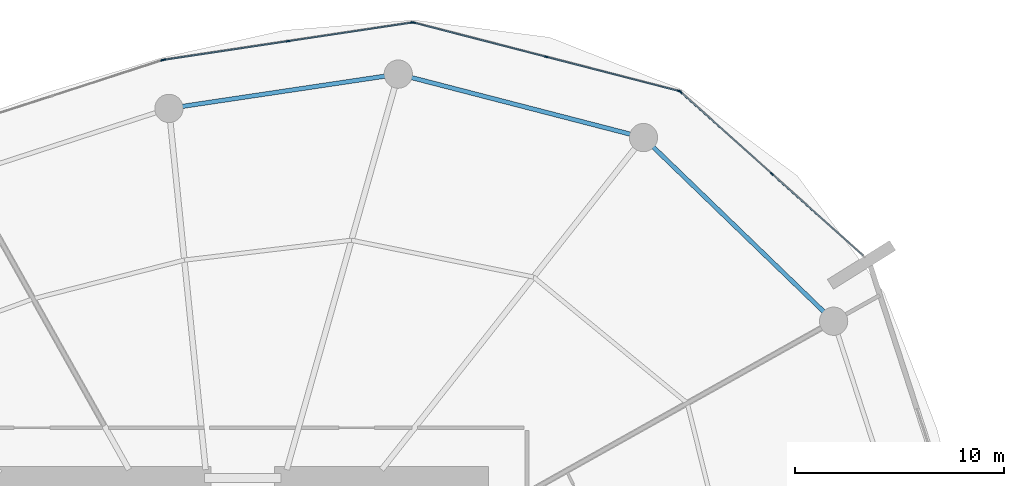
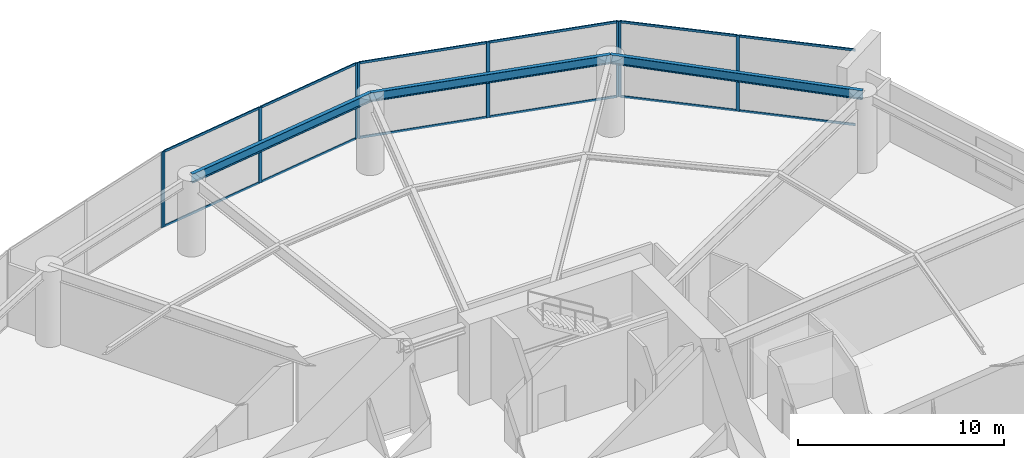
# One storey, part 15 of 22: 21 members, 3 beams, 4 elements without a shape of their own.
"""IFC4 building model written with IfcOpenShell, lengths in metres."""

from ifc_helpers import new_model, si_unit, direction, frame, origin, origin_2d, place, context, subcontext, project, spatial, rectangle, i_section, extrude, material, layer, layer_set, material_profile, profile_set, type_object, element, aggregate, save


model = new_model("IFC4")

# Units and contexts
model_context = context("Model", 3, precision=1e-05, world=origin(), true_north=direction((0.0, 1.0)))
body_context = subcontext(model_context, "Body", "Model", "MODEL_VIEW")
ifc_project = project(units=[si_unit("LENGTHUNIT", "METRE"), si_unit("AREAUNIT", "SQUARE_METRE"), si_unit("VOLUMEUNIT", "CUBIC_METRE"), si_unit("PLANEANGLEUNIT", "RADIAN"), si_unit("MASSUNIT", "GRAM", prefix="KILO")], contexts=[model_context])

# Site, building, storey
site_placement = place(None, origin())
site = spatial("IfcSite", under=ifc_project, at=site_placement, CompositionType="ELEMENT")
building_placement = place(site_placement, origin())
building = spatial("IfcBuilding", under=site, at=building_placement, Name="Kazma Halo Residences", CompositionType="ELEMENT")
storey_placement = place(building_placement, frame((0.0, 0.0, 12.0)))
storey = spatial("IfcBuildingStorey", under=building, at=storey_placement, Name="L02", CompositionType="ELEMENT", Elevation=12.0)

# Beams
ifc_material_1 = material(Name="Steel S355", Category="steel")
ifc_material_profile_1 = material_profile(ifc_material_1, i_section(OverallWidth=0.208984375, OverallDepth=0.532958984375, WebThickness=0.01025390625, FlangeThickness=0.015625, FilletRadius=0.01611328125, at=origin_2d()), Name="W530x92")
ifc_profile_set_1 = profile_set([ifc_material_profile_1], Name="Steel S355")
beam_type = type_object("IfcBeamType", Name="BM-SPN-W530", PredefinedType="BEAM", material=ifc_profile_set_1)
beam_1_placement = place(storey_placement, frame((76.6328125, 58.03515625, 4.21337890625), z_axis=(-0.719339467226, 0.694658715407, 0.0), x_axis=(-0.694658715407, -0.719339467226, 0.0)))
element("IfcBeam", 1, at=beam_1_placement, inside=storey, type_object=beam_type, Name="L02 perimeter ring beam 01", PredefinedType="BEAM", context=body_context, shape_type="SweptSolid", body=[
    extrude(i_section(OverallWidth=0.208984375, OverallDepth=0.532958984375, WebThickness=0.01025390625, FlangeThickness=0.015625, FilletRadius=0.01611328125, at=origin_2d()), origin(), (0.0, 0.0, 1.0), 12.6220703125),
])
beam_2_placement = place(storey_placement, frame((67.55322265625, 66.80322265625, 4.21337890625), z_axis=(-0.968123781445, 0.250472241578, 0.0), x_axis=(-0.250472241578, -0.968123781445, 0.0)))
element("IfcBeam", 2, at=beam_2_placement, inside=storey, type_object=beam_type, Name="L02 perimeter ring beam 02", PredefinedType="BEAM", context=body_context, shape_type="SweptSolid", body=[
    extrude(i_section(OverallWidth=0.208984375, OverallDepth=0.532958984375, WebThickness=0.01025390625, FlangeThickness=0.015625, FilletRadius=0.01611328125, at=origin_2d()), origin(), (0.0, 0.0, 1.0), 12.08935546875),
])
beam_3_placement = place(storey_placement, frame((55.84912109375, 69.831298828125, 4.21337890625), z_axis=(-0.989031581018, -0.14770420356, 0.0), x_axis=(0.14770420356, -0.989031581018, 0.0)))
element("IfcBeam", 3, at=beam_3_placement, inside=storey, type_object=beam_type, Name="L02 perimeter ring beam 03", PredefinedType="BEAM", context=body_context, shape_type="SweptSolid", body=[
    extrude(i_section(OverallWidth=0.208984375, OverallDepth=0.532958984375, WebThickness=0.01025390625, FlangeThickness=0.015625, FilletRadius=0.01611328125, at=origin_2d()), origin(), (0.0, 0.0, 1.0), 11.071044921875),
])

# Curtain wall, members
ifc_material_2 = material(Name="Aluminium AW-6063 T6 and Triple-Silver Low-E Glass", Category="aluminium")
ifc_layer = layer(ifc_material_2, 0.179931640625)
ifc_layer_set = layer_set([ifc_layer], Name="Aluminium AW-6063 T6 and Triple-Silver Low-E Glass")
curtain_wall_type = type_object("IfcCurtainWallType", Name="CW-SYS-1", PredefinedType="NOTDEFINED", material=ifc_layer_set)
curtain_wall_1_placement = place(storey_placement, origin())
curtain_wall_1 = element("IfcCurtainWall", 4, at=curtain_wall_1_placement, inside=storey, type_object=curtain_wall_type, Name="L02 unitised curtain wall B01", PredefinedType="NOTDEFINED")
ifc_material_3 = material(Name="Aluminium AW-6063 T6", Category="aluminium")
ifc_material_profile_2 = material_profile(ifc_material_3, rectangle(XDim=0.06494140625, YDim=0.179931640625, at=origin_2d()), Name="CWM-65x180")
ifc_profile_set_2 = profile_set([ifc_material_profile_2], Name="Aluminium AW-6063 T6")
member_type_1 = type_object("IfcMemberType", Name="CW-SYS-1-MUL", PredefinedType="MULLION", material=ifc_profile_set_2)
member_1_placement = place(storey_placement, frame((73.689208984375, 65.070556640625, 0.0), z_axis=(0.0, 0.0, 1.0), x_axis=(-0.667847908139, -0.744297770784, 0.0)))
member_1 = element("IfcMember", 5, at=member_1_placement, type_object=member_type_1, Name="CWS-1 mullion 2", PredefinedType="MULLION", context=body_context, shape_type="SweptSolid", body=[
    extrude(rectangle(XDim=0.06494140625, YDim=0.179931640625, at=origin_2d()), origin(), (0.0, 0.0, 1.0), 4.47998046875),
])
member_2_placement = place(storey_placement, frame((69.319580078125, 68.9912109375, 0.0), z_axis=(0.0, 0.0, 1.0), x_axis=(-0.667847908139, -0.744297770784, 0.0)))
member_2 = element("IfcMember", 6, at=member_2_placement, type_object=member_type_1, Name="CWS-1 mullion 3", PredefinedType="MULLION", context=body_context, shape_type="SweptSolid", body=[
    extrude(rectangle(XDim=0.06494140625, YDim=0.179931640625, at=origin_2d()), origin(), (0.0, 0.0, 1.0), 4.47998046875),
])

curtain_wall_2_placement = place(storey_placement, origin())
curtain_wall_2 = element("IfcCurtainWall", 7, at=curtain_wall_2_placement, inside=storey, type_object=curtain_wall_type, Name="L02 unitised curtain wall B02", PredefinedType="NOTDEFINED")
member_3_placement = place(storey_placement, frame((69.263916015625, 69.02099609375, 0.0), z_axis=(0.0, 0.0, 1.0), x_axis=(-0.249727103953, -0.96831625699, 0.0)))
member_3 = element("IfcMember", 8, at=member_3_placement, type_object=member_type_1, Name="CWS-1 mullion 1", PredefinedType="MULLION", context=body_context, shape_type="SweptSolid", body=[
    extrude(rectangle(XDim=0.06494140625, YDim=0.179931640625, at=origin_2d()), origin(), (0.0, 0.0, 1.0), 4.47998046875),
])
member_4_placement = place(storey_placement, frame((62.920654296875, 70.656982421875, 0.0), z_axis=(0.0, 0.0, 1.0), x_axis=(-0.249727103953, -0.96831625699, 0.0)))
member_4 = element("IfcMember", 9, at=member_4_placement, type_object=member_type_1, Name="CWS-1 mullion 2", PredefinedType="MULLION", context=body_context, shape_type="SweptSolid", body=[
    extrude(rectangle(XDim=0.06494140625, YDim=0.179931640625, at=origin_2d()), origin(), (0.0, 0.0, 1.0), 4.47998046875),
])
member_5_placement = place(storey_placement, frame((56.5771484375, 72.29296875, 0.0), z_axis=(0.0, 0.0, 1.0), x_axis=(-0.249727103953, -0.96831625699, 0.0)))
member_5 = element("IfcMember", 10, at=member_5_placement, type_object=member_type_1, Name="CWS-1 mullion 3", PredefinedType="MULLION", context=body_context, shape_type="SweptSolid", body=[
    extrude(rectangle(XDim=0.06494140625, YDim=0.179931640625, at=origin_2d()), origin(), (0.0, 0.0, 1.0), 4.47998046875),
])

curtain_wall_3_placement = place(storey_placement, origin())
curtain_wall_3 = element("IfcCurtainWall", 11, at=curtain_wall_3_placement, inside=storey, type_object=curtain_wall_type, Name="L02 unitised curtain wall B03", PredefinedType="NOTDEFINED")
member_6_placement = place(storey_placement, frame((56.513671875, 72.29638671875, 0.0), z_axis=(0.0, 0.0, 1.0), x_axis=(0.148548966342, -0.988905053379, 0.0)))
member_6 = element("IfcMember", 12, at=member_6_placement, type_object=member_type_1, Name="CWS-1 mullion 1", PredefinedType="MULLION", context=body_context, shape_type="SweptSolid", body=[
    extrude(rectangle(XDim=0.06494140625, YDim=0.179931640625, at=origin_2d()), origin(), (0.0, 0.0, 1.0), 4.47998046875),
])
member_7_placement = place(storey_placement, frame((50.585693359375, 71.40576171875, 0.0), z_axis=(0.0, 0.0, 1.0), x_axis=(0.148548966342, -0.988905053379, 0.0)))
member_7 = element("IfcMember", 13, at=member_7_placement, type_object=member_type_1, Name="CWS-1 mullion 2", PredefinedType="MULLION", context=body_context, shape_type="SweptSolid", body=[
    extrude(rectangle(XDim=0.06494140625, YDim=0.179931640625, at=origin_2d()), origin(), (0.0, 0.0, 1.0), 4.47998046875),
])
member_8_placement = place(storey_placement, frame((44.65771484375, 70.515380859375, 0.0), z_axis=(0.0, 0.0, 1.0), x_axis=(0.148548966342, -0.988905053379, 0.0)))
member_8 = element("IfcMember", 14, at=member_8_placement, type_object=member_type_1, Name="CWS-1 mullion 3", PredefinedType="MULLION", context=body_context, shape_type="SweptSolid", body=[
    extrude(rectangle(XDim=0.06494140625, YDim=0.179931640625, at=origin_2d()), origin(), (0.0, 0.0, 1.0), 4.47998046875),
])

# Curtain wall, member
curtain_wall_4_placement = place(storey_placement, origin())
curtain_wall_4 = element("IfcCurtainWall", 15, at=curtain_wall_4_placement, inside=storey, type_object=curtain_wall_type, Name="L02 unitised curtain wall B04", PredefinedType="NOTDEFINED")
member_9_placement = place(storey_placement, frame((44.5947265625, 70.50048828125, 0.0), z_axis=(0.0, 0.0, 1.0), x_axis=(0.309017239211, -0.951056436743, 0.0)))
member_9 = element("IfcMember", 16, at=member_9_placement, type_object=member_type_1, Name="CWS-1 mullion 1", PredefinedType="MULLION", context=body_context, shape_type="SweptSolid", body=[
    extrude(rectangle(XDim=0.06494140625, YDim=0.179931640625, at=origin_2d()), origin(), (0.0, 0.0, 1.0), 4.47998046875),
])
aggregate(curtain_wall_4, [member_9])

# Member
ifc_material_profile_3 = material_profile(ifc_material_3, rectangle(XDim=0.06494140625, YDim=0.135009765625, at=origin_2d()), Name="CWT-65x135")
ifc_profile_set_3 = profile_set([ifc_material_profile_3], Name="Aluminium AW-6063 T6")
member_type_2 = type_object("IfcMemberType", Name="CW-SYS-1-TRN", PredefinedType="USERDEFINED", material=ifc_profile_set_3)
member_10_placement = place(storey_placement, frame((78.034423828125, 61.171630859375, 0.032470703125), z_axis=(-0.744299097196, 0.667846429887, 0.0), x_axis=(-0.667846429887, -0.744299097196, 0.0)))
member_10 = element("IfcMember", 17, at=member_10_placement, type_object=member_type_2, Name="CWS-1 transom 1.1", ObjectType="TRANSOM", PredefinedType="USERDEFINED", context=body_context, shape_type="SweptSolid", body=[
    extrude(rectangle(XDim=0.06494140625, YDim=0.135009765625, at=origin_2d()), origin(), (0.0, 0.0, 1.0), 5.805419921875),
])

member_11_placement = place(storey_placement, frame((78.034423828125, 61.171630859375, 4.447509765625), z_axis=(-0.744299097196, 0.667846429887, 0.0), x_axis=(-0.667846429887, -0.744299097196, 0.0)))
member_11 = element("IfcMember", 18, at=member_11_placement, type_object=member_type_2, Name="CWS-1 transom 1.2", ObjectType="TRANSOM", PredefinedType="USERDEFINED", context=body_context, shape_type="SweptSolid", body=[
    extrude(rectangle(XDim=0.06494140625, YDim=0.135009765625, at=origin_2d()), origin(), (0.0, 0.0, 1.0), 5.805419921875),
])

member_12_placement = place(storey_placement, frame((73.6650390625, 65.09228515625, 0.032470703125), z_axis=(-0.744317852823, 0.667825526592, 0.0), x_axis=(-0.667825526592, -0.744317852823, 0.0)))
member_12 = element("IfcMember", 19, at=member_12_placement, type_object=member_type_2, Name="CWS-1 transom 2.1", ObjectType="TRANSOM", PredefinedType="USERDEFINED", context=body_context, shape_type="SweptSolid", body=[
    extrude(rectangle(XDim=0.06494140625, YDim=0.135009765625, at=origin_2d()), origin(), (0.0, 0.0, 1.0), 5.8056640625),
])

member_13_placement = place(storey_placement, frame((73.6650390625, 65.09228515625, 4.447509765625), z_axis=(-0.744317852823, 0.667825526592, 0.0), x_axis=(-0.667825526592, -0.744317852823, 0.0)))
member_13 = element("IfcMember", 20, at=member_13_placement, type_object=member_type_2, Name="CWS-1 transom 2.2", ObjectType="TRANSOM", PredefinedType="USERDEFINED", context=body_context, shape_type="SweptSolid", body=[
    extrude(rectangle(XDim=0.06494140625, YDim=0.135009765625, at=origin_2d()), origin(), (0.0, 0.0, 1.0), 5.8056640625),
])

aggregate(curtain_wall_1, [member_1, member_2, member_10, member_11, member_12, member_13])

member_14_placement = place(storey_placement, frame((69.232421875, 69.029296875, 0.032470703125), z_axis=(-0.968317854782, 0.249720908437, 0.0), x_axis=(-0.249720908437, -0.968317854782, 0.0)))
member_14 = element("IfcMember", 21, at=member_14_placement, type_object=member_type_2, Name="CWS-1 transom 1.1", ObjectType="TRANSOM", PredefinedType="USERDEFINED", context=body_context, shape_type="SweptSolid", body=[
    extrude(rectangle(XDim=0.06494140625, YDim=0.135009765625, at=origin_2d()), origin(), (0.0, 0.0, 1.0), 6.48583984375),
])

member_15_placement = place(storey_placement, frame((69.232421875, 69.029296875, 4.447509765625), z_axis=(-0.968317854782, 0.249720908437, 0.0), x_axis=(-0.249720908437, -0.968317854782, 0.0)))
member_15 = element("IfcMember", 22, at=member_15_placement, type_object=member_type_2, Name="CWS-1 transom 1.2", ObjectType="TRANSOM", PredefinedType="USERDEFINED", context=body_context, shape_type="SweptSolid", body=[
    extrude(rectangle(XDim=0.06494140625, YDim=0.135009765625, at=origin_2d()), origin(), (0.0, 0.0, 1.0), 6.48583984375),
])

member_16_placement = place(storey_placement, frame((62.88916015625, 70.665283203125, 0.032470703125), z_axis=(-0.968320202065, 0.249711806433, 0.0), x_axis=(-0.249711806433, -0.968320202065, 0.0)))
member_16 = element("IfcMember", 23, at=member_16_placement, type_object=member_type_2, Name="CWS-1 transom 2.1", ObjectType="TRANSOM", PredefinedType="USERDEFINED", context=body_context, shape_type="SweptSolid", body=[
    extrude(rectangle(XDim=0.06494140625, YDim=0.135009765625, at=origin_2d()), origin(), (0.0, 0.0, 1.0), 6.486083984375),
])

member_17_placement = place(storey_placement, frame((62.88916015625, 70.665283203125, 4.447509765625), z_axis=(-0.968320202065, 0.249711806433, 0.0), x_axis=(-0.249711806433, -0.968320202065, 0.0)))
member_17 = element("IfcMember", 24, at=member_17_placement, type_object=member_type_2, Name="CWS-1 transom 2.2", ObjectType="TRANSOM", PredefinedType="USERDEFINED", context=body_context, shape_type="SweptSolid", body=[
    extrude(rectangle(XDim=0.06494140625, YDim=0.135009765625, at=origin_2d()), origin(), (0.0, 0.0, 1.0), 6.486083984375),
])

aggregate(curtain_wall_2, [member_3, member_4, member_5, member_14, member_15, member_16, member_17])

member_18_placement = place(storey_placement, frame((56.4814453125, 72.29150390625, 0.032470703125), z_axis=(-0.988903408536, -0.14855991581, 0.0), x_axis=(0.14855991581, -0.988903408536, 0.0)))
member_18 = element("IfcMember", 25, at=member_18_placement, type_object=member_type_2, Name="CWS-1 transom 1.1", ObjectType="TRANSOM", PredefinedType="USERDEFINED", context=body_context, shape_type="SweptSolid", body=[
    extrude(rectangle(XDim=0.06494140625, YDim=0.135009765625, at=origin_2d()), origin(), (0.0, 0.0, 1.0), 5.92919921875),
])

member_19_placement = place(storey_placement, frame((56.4814453125, 72.29150390625, 4.447509765625), z_axis=(-0.988903408536, -0.14855991581, 0.0), x_axis=(0.14855991581, -0.988903408536, 0.0)))
member_19 = element("IfcMember", 26, at=member_19_placement, type_object=member_type_2, Name="CWS-1 transom 1.2", ObjectType="TRANSOM", PredefinedType="USERDEFINED", context=body_context, shape_type="SweptSolid", body=[
    extrude(rectangle(XDim=0.06494140625, YDim=0.135009765625, at=origin_2d()), origin(), (0.0, 0.0, 1.0), 5.92919921875),
])

member_20_placement = place(storey_placement, frame((50.553466796875, 71.40087890625, 0.032470703125), z_axis=(-0.988909456852, -0.148519649035, 0.0), x_axis=(0.148519649035, -0.988909456852, 0.0)))
member_20 = element("IfcMember", 27, at=member_20_placement, type_object=member_type_2, Name="CWS-1 transom 2.1", ObjectType="TRANSOM", PredefinedType="USERDEFINED", context=body_context, shape_type="SweptSolid", body=[
    extrude(rectangle(XDim=0.06494140625, YDim=0.135009765625, at=origin_2d()), origin(), (0.0, 0.0, 1.0), 5.92919921875),
])

member_21_placement = place(storey_placement, frame((50.553466796875, 71.40087890625, 4.447509765625), z_axis=(-0.988909456852, -0.148519649035, 0.0), x_axis=(0.148519649035, -0.988909456852, 0.0)))
member_21 = element("IfcMember", 28, at=member_21_placement, type_object=member_type_2, Name="CWS-1 transom 2.2", ObjectType="TRANSOM", PredefinedType="USERDEFINED", context=body_context, shape_type="SweptSolid", body=[
    extrude(rectangle(XDim=0.06494140625, YDim=0.135009765625, at=origin_2d()), origin(), (0.0, 0.0, 1.0), 5.92919921875),
])

aggregate(curtain_wall_3, [member_6, member_7, member_8, member_18, member_19, member_20, member_21])

save(model, "model.ifc")
